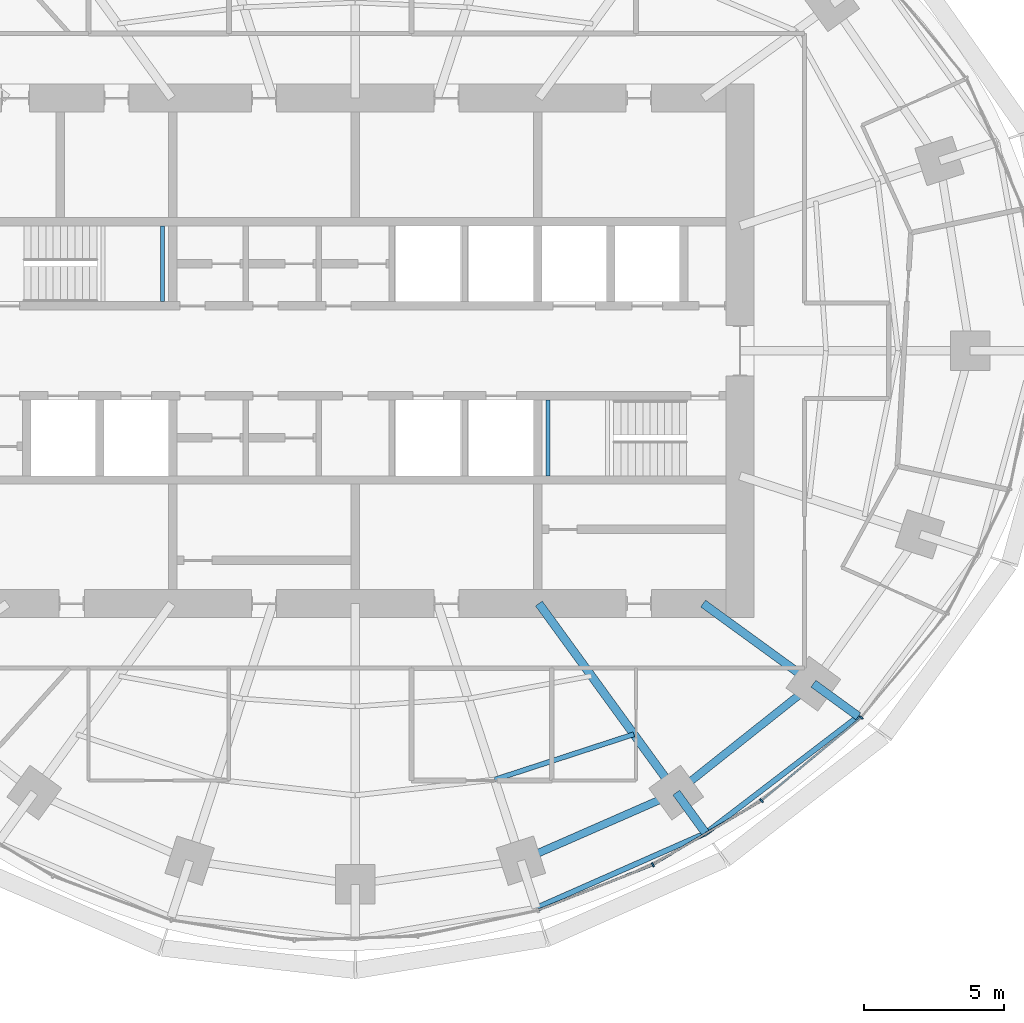
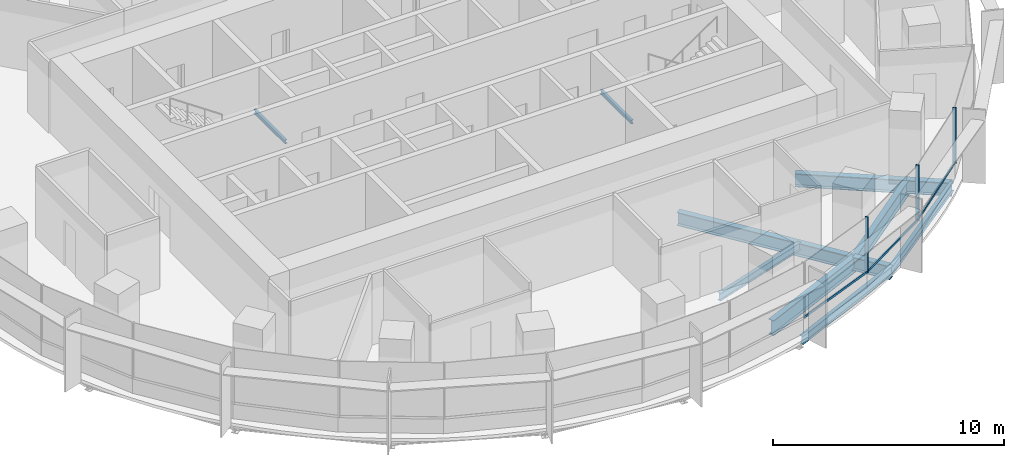
# One storey, part 5 of 15: 11 beams, 6 members, 2 elements without a shape of their own.
"""IFC4 building model written with IfcOpenShell, lengths in metres."""

from ifc_helpers import new_model, si_unit, direction, frame, origin, origin_2d, place, context, subcontext, project, spatial, rectangle, i_section, extrude, material, material_profile, profile_set, type_object, element, aggregate, save


model = new_model("IFC4")

# Units and contexts
model_context = context("Model", 3, precision=1e-05, world=origin(), true_north=direction((0.0, 1.0)))
body_context = subcontext(model_context, "Body", "Model", "MODEL_VIEW")
ifc_project = project(units=[si_unit("LENGTHUNIT", "METRE"), si_unit("AREAUNIT", "SQUARE_METRE"), si_unit("VOLUMEUNIT", "CUBIC_METRE"), si_unit("PLANEANGLEUNIT", "RADIAN"), si_unit("MASSUNIT", "GRAM", prefix="KILO")], contexts=[model_context])

# Site, building, storey
site_placement = place(None, origin())
site = spatial("IfcSite", under=ifc_project, at=site_placement, CompositionType="ELEMENT")
building_placement = place(site_placement, origin())
building = spatial("IfcBuilding", under=site, at=building_placement, Name="Marramba Exchange Tower", CompositionType="ELEMENT")
storey_placement = place(building_placement, frame((0.0, 0.0, 207.199951171875)))
storey = spatial("IfcBuildingStorey", under=building, at=storey_placement, Name="L50", CompositionType="ELEMENT", Elevation=207.199951171875)

# Beams
ifc_material_1 = material(Name="Steel AS/NZS 3679.2 grade 300", Category="steel")
ifc_material_profile_1 = material_profile(ifc_material_1, i_section(OverallWidth=0.300048828125, OverallDepth=0.699951171875, WebThickness=0.010009765625, FlangeThickness=0.031982421875, at=origin_2d()), Name="700WB173")
ifc_profile_set_1 = profile_set([ifc_material_profile_1], Name="Steel AS/NZS 3679.2 grade 300")
beam_type_1 = type_object("IfcBeamType", Name="Cantilever girder 700WB173", PredefinedType="BEAM", material=ifc_profile_set_1)
beam_1_placement = place(storey_placement, frame((11.430419921875, -15.732666015625, -0.510009765625), z_axis=(0.58783009415, -0.808984412959, 0.0), x_axis=(0.808984412959, 0.58783009415, 0.0)))
element("IfcBeam", 1, at=beam_1_placement, inside=storey, type_object=beam_type_1, Name="Cantilever girder L50 TC18", PredefinedType="BEAM", context=body_context, shape_type="SweptSolid", body=[
    extrude(i_section(OverallWidth=0.300048828125, OverallDepth=0.699951171875, WebThickness=0.010009765625, FlangeThickness=0.031982421875, at=origin_2d()), origin(), (0.0, 0.0, 1.0), 1.78515625),
])
beam_2_placement = place(storey_placement, frame((16.3154296875, -11.853759765625, -0.510009765625), z_axis=(0.808970801893, -0.587848825537, 0.0), x_axis=(0.587848825537, 0.808970801893, 0.0)))
element("IfcBeam", 2, at=beam_2_placement, inside=storey, type_object=beam_type_1, Name="Cantilever girder L50 TC19", PredefinedType="BEAM", context=body_context, shape_type="SweptSolid", body=[
    extrude(i_section(OverallWidth=0.300048828125, OverallDepth=0.699951171875, WebThickness=0.010009765625, FlangeThickness=0.031982421875, at=origin_2d()), origin(), (0.0, 0.0, 1.0), 1.978515625),
])
ifc_material_2 = material(Name="Steel AS/NZS 3679.1 grade 300", Category="steel")
ifc_material_profile_2 = material_profile(ifc_material_2, i_section(OverallWidth=0.177978515625, OverallDepth=0.406005859375, WebThickness=0.0078125, FlangeThickness=0.0126953125, FilletRadius=0.011474609375, at=origin_2d()), Name="410UB59.7")
ifc_profile_set_2 = profile_set([ifc_material_profile_2], Name="Steel AS/NZS 3679.1 grade 300")
beam_type_2 = type_object("IfcBeamType", Name="Floor joist 410UB59.7", PredefinedType="JOIST", material=ifc_profile_set_2)
beam_3_placement = place(storey_placement, frame((4.9619140625, -15.271484375, -0.363037109375), z_axis=(0.950764024931, 0.309915744834, 0.0), x_axis=(-0.309915744834, 0.950764024931, 0.0)))
element("IfcBeam", 3, at=beam_3_placement, inside=storey, type_object=beam_type_2, Name="Joist L50 bay 17 row 2", PredefinedType="JOIST", context=body_context, shape_type="SweptSolid", body=[
    extrude(i_section(OverallWidth=0.177978515625, OverallDepth=0.406005859375, WebThickness=0.0078125, FlangeThickness=0.0126953125, FilletRadius=0.011474609375, at=origin_2d()), origin(), (0.0, 0.0, 1.0), 5.2158203125),
])

# Curtain wall, members
ifc_material_3 = material(Name="Aluminium framing, bronze anodised", Category="aluminium")
curtain_wall_type = type_object("IfcCurtainWallType", Name="Office ribbon curtain wall", PredefinedType="USERDEFINED", material=ifc_material_3)
curtain_wall_1_placement = place(storey_placement, origin())
curtain_wall_1 = element("IfcCurtainWall", 4, at=curtain_wall_1_placement, inside=storey, type_object=curtain_wall_type, Name="Curtain wall CW4 L50 F26-F30", ObjectType="RIBBON CURTAIN WALL", PredefinedType="USERDEFINED")
ifc_material_4 = material(Name="Aluminium mullion, bronze anodised", Category="aluminium")
ifc_material_profile_3 = material_profile(ifc_material_4, rectangle(XDim=0.159912109375, YDim=0.06005859375, at=origin_2d()), Name="CW4 mullion 60x160")
ifc_profile_set_3 = profile_set([ifc_material_profile_3], Name="Aluminium mullion, bronze anodised")
member_type_1 = type_object("IfcMemberType", Name="Office ribbon curtain wall mullion", PredefinedType="MULLION", material=ifc_profile_set_3)
member_1_placement = place(storey_placement, frame((10.60009765625, -18.2998046875, 0.800048828125), z_axis=(0.0, 0.0, 1.0), x_axis=(-0.508010571686, 0.861350833897, 0.0)))
member_1 = element("IfcMember", 5, at=member_1_placement, type_object=member_type_1, Name="CW4 mullion 1", PredefinedType="MULLION", context=body_context, shape_type="SweptSolid", body=[
    extrude(rectangle(XDim=0.159912109375, YDim=0.06005859375, at=origin_2d()), origin(), (0.0, 0.0, 1.0), 2.93994140625),
])
member_2_placement = place(storey_placement, frame((14.461669921875, -16.0166015625, 0.800048828125), z_axis=(0.0, 0.0, 1.0), x_axis=(-0.639565270127, 0.768736798421, 0.0)))
member_2 = element("IfcMember", 6, at=member_2_placement, type_object=member_type_1, Name="CW4 mullion 1", PredefinedType="MULLION", context=body_context, shape_type="SweptSolid", body=[
    extrude(rectangle(XDim=0.159912109375, YDim=0.06005859375, at=origin_2d()), origin(), (0.0, 0.0, 1.0), 2.93994140625),
])
member_3_placement = place(storey_placement, frame((18.01611328125, -13.052490234375, 0.800048828125), z_axis=(0.0, 0.0, 1.0), x_axis=(-0.769912069289, 0.63814998673, 0.0)))
member_3 = element("IfcMember", 7, at=member_3_placement, type_object=member_type_1, Name="CW4 mullion 1", PredefinedType="MULLION", context=body_context, shape_type="SweptSolid", body=[
    extrude(rectangle(XDim=0.159912109375, YDim=0.06005859375, at=origin_2d()), origin(), (0.0, 0.0, 1.0), 2.93994140625),
])

# Curtain wall, member
curtain_wall_2_placement = place(storey_placement, origin())
curtain_wall_2 = element("IfcCurtainWall", 8, at=curtain_wall_2_placement, inside=storey, type_object=curtain_wall_type, Name="Curtain wall CW4 L50 F21-F25", ObjectType="RIBBON CURTAIN WALL", PredefinedType="USERDEFINED")
ifc_material_5 = material(Name="Aluminium transom, bronze anodised", Category="aluminium")
ifc_material_profile_4 = material_profile(ifc_material_5, rectangle(XDim=0.06005859375, YDim=0.1201171875, at=origin_2d()), Name="CW4 transom 60x120")
ifc_profile_set_4 = profile_set([ifc_material_profile_4], Name="Aluminium transom, bronze anodised")
member_type_2 = type_object("IfcMemberType", Name="Office ribbon curtain wall transom", PredefinedType="USERDEFINED", material=ifc_profile_set_4)
member_4_placement = place(storey_placement, frame((6.53271484375, -19.911376953125, 0.830078125), z_axis=(0.930068344217, 0.367386547229, 0.0), x_axis=(-0.367386547229, 0.930068344217, 0.0)))
member_4 = element("IfcMember", 9, at=member_4_placement, type_object=member_type_2, Name="CW4 sill transom", ObjectType="TRANSOM", PredefinedType="USERDEFINED", context=body_context, shape_type="SweptSolid", body=[
    extrude(rectangle(XDim=0.06005859375, YDim=0.1201171875, at=origin_2d()), origin(), (0.0, 0.0, 1.0), 4.345458984375),
])
aggregate(curtain_wall_2, [member_4])

# Member
member_5_placement = place(storey_placement, frame((10.6259765625, -18.28466796875, 0.830078125), z_axis=(0.861342387959, 0.508024891816, 0.0), x_axis=(-0.508024891816, 0.861342387959, 0.0)))
member_5 = element("IfcMember", 10, at=member_5_placement, type_object=member_type_2, Name="CW4 sill transom", ObjectType="TRANSOM", PredefinedType="USERDEFINED", context=body_context, shape_type="SweptSolid", body=[
    extrude(rectangle(XDim=0.06005859375, YDim=0.1201171875, at=origin_2d()), origin(), (0.0, 0.0, 1.0), 4.426513671875),
])

member_6_placement = place(storey_placement, frame((14.48486328125, -15.99755859375, 0.830078125), z_axis=(0.768707257272, 0.639600775967, 0.0), x_axis=(-0.639600775967, 0.768707257272, 0.0)))
member_6 = element("IfcMember", 11, at=member_6_placement, type_object=member_type_2, Name="CW4 sill transom", ObjectType="TRANSOM", PredefinedType="USERDEFINED", context=body_context, shape_type="SweptSolid", body=[
    extrude(rectangle(XDim=0.06005859375, YDim=0.1201171875, at=origin_2d()), origin(), (0.0, 0.0, 1.0), 4.568603515625),
])

aggregate(curtain_wall_1, [member_1, member_5, member_2, member_6, member_3])

# Beams
ifc_material_profile_5 = material_profile(ifc_material_1, i_section(OverallWidth=0.300048828125, OverallDepth=0.699951171875, WebThickness=0.010009765625, FlangeThickness=0.031982421875, at=origin_2d()), Name="700WB173")
ifc_profile_set_5 = profile_set([ifc_material_profile_5], Name="Steel AS/NZS 3679.2 grade 300")
beam_type_3 = type_object("IfcBeamType", Name="Radial girder 700WB173", PredefinedType="BEAM", material=ifc_profile_set_5)
beam_4_placement = place(storey_placement, frame((6.538818359375, -9.0, -0.510009765625), z_axis=(0.587787877172, -0.809015087282, 0.0), x_axis=(0.809015087282, 0.587787877172, 0.0)))
element("IfcBeam", 12, at=beam_4_placement, inside=storey, type_object=beam_type_3, Name="Radial girder L50 TC18", PredefinedType="BEAM", context=body_context, shape_type="SweptSolid", body=[
    extrude(i_section(OverallWidth=0.300048828125, OverallDepth=0.699951171875, WebThickness=0.010009765625, FlangeThickness=0.031982421875, at=origin_2d()), origin(), (0.0, 0.0, 1.0), 8.322021484375),
])
beam_5_placement = place(storey_placement, frame((12.387451171875, -9.0, -0.510009765625), z_axis=(0.809025189606, -0.58777397236, 0.0), x_axis=(0.58777397236, 0.809025189606, 0.0)))
element("IfcBeam", 13, at=beam_5_placement, inside=storey, type_object=beam_type_3, Name="Radial girder L50 TC19", PredefinedType="BEAM", context=body_context, shape_type="SweptSolid", body=[
    extrude(i_section(OverallWidth=0.300048828125, OverallDepth=0.699951171875, WebThickness=0.010009765625, FlangeThickness=0.031982421875, at=origin_2d()), origin(), (0.0, 0.0, 1.0), 4.855224609375),
])
ifc_material_profile_6 = material_profile(ifc_material_1, i_section(OverallWidth=0.27490234375, OverallDepth=0.800048828125, WebThickness=0.010009765625, FlangeThickness=0.02490234375, at=origin_2d()), Name="800WB168")
ifc_profile_set_6 = profile_set([ifc_material_profile_6], Name="Steel AS/NZS 3679.2 grade 300")
beam_type_4 = type_object("IfcBeamType", Name="Ring beam 800WB168", PredefinedType="SPANDREL", material=ifc_profile_set_6)
beam_6_placement = place(storey_placement, frame((5.899658203125, -18.156982421875, -0.56005859375), z_axis=(0.915876892158, 0.4014592363, 0.0), x_axis=(-0.4014592363, 0.915876892158, 0.0)))
element("IfcBeam", 14, at=beam_6_placement, inside=storey, type_object=beam_type_4, Name="Ring beam L50 TC17-TC18", PredefinedType="SPANDREL", context=body_context, shape_type="SweptSolid", body=[
    extrude(i_section(OverallWidth=0.27490234375, OverallDepth=0.800048828125, WebThickness=0.010009765625, FlangeThickness=0.02490234375, at=origin_2d()), origin(), (0.0, 0.0, 1.0), 6.038818359375),
])
beam_7_placement = place(storey_placement, frame((11.430419921875, -15.732666015625, -0.56005859375), z_axis=(0.783139438128, 0.621846138887, 0.0), x_axis=(-0.621846138887, 0.783139438128, 0.0)))
element("IfcBeam", 15, at=beam_7_placement, inside=storey, type_object=beam_type_4, Name="Ring beam L50 TC18-TC19", PredefinedType="SPANDREL", context=body_context, shape_type="SweptSolid", body=[
    extrude(i_section(OverallWidth=0.27490234375, OverallDepth=0.800048828125, WebThickness=0.010009765625, FlangeThickness=0.02490234375, at=origin_2d()), origin(), (0.0, 0.0, 1.0), 6.23779296875),
])
ifc_material_profile_7 = material_profile(ifc_material_2, i_section(OverallWidth=0.19091796875, OverallDepth=0.4599609375, WebThickness=0.010009765625, FlangeThickness=0.01611328125, FilletRadius=0.011474609375, at=origin_2d()), Name="460UB82.1")
ifc_profile_set_7 = profile_set([ifc_material_profile_7], Name="Steel AS/NZS 3679.1 grade 300")
beam_type_5 = type_object("IfcBeamType", Name="Slab edge beam 460UB82.1", PredefinedType="SPANDREL", material=ifc_profile_set_7)
beam_8_placement = place(storey_placement, frame((6.44580078125, -19.83837890625, -0.389892578125), z_axis=(0.914940719579, 0.403588255102, 0.0), x_axis=(-0.403588255102, 0.914940719579, 0.0)))
element("IfcBeam", 16, at=beam_8_placement, inside=storey, type_object=beam_type_5, Name="Slab edge beam L50 TC17-TC18", PredefinedType="SPANDREL", context=body_context, shape_type="SweptSolid", body=[
    extrude(i_section(OverallWidth=0.19091796875, OverallDepth=0.4599609375, WebThickness=0.010009765625, FlangeThickness=0.01611328125, FilletRadius=0.011474609375, at=origin_2d()), origin(), (0.0, 0.0, 1.0), 6.594970703125),
])
beam_9_placement = place(storey_placement, frame((12.479736328125, -17.1767578125, -0.389892578125), z_axis=(0.794163423189, 0.607704251481, 0.0), x_axis=(-0.607704251481, 0.794163423189, 0.0)))
element("IfcBeam", 17, at=beam_9_placement, inside=storey, type_object=beam_type_5, Name="Slab edge beam L50 TC18-TC19", PredefinedType="SPANDREL", context=body_context, shape_type="SweptSolid", body=[
    extrude(i_section(OverallWidth=0.19091796875, OverallDepth=0.4599609375, WebThickness=0.010009765625, FlangeThickness=0.01611328125, FilletRadius=0.011474609375, at=origin_2d()), origin(), (0.0, 0.0, 1.0), 6.84521484375),
])
ifc_material_profile_8 = material_profile(ifc_material_2, i_section(OverallWidth=0.133056640625, OverallDepth=0.202880859375, WebThickness=0.005859375, FlangeThickness=0.0078125, FilletRadius=0.0087890625, at=origin_2d()), Name="200UB25.4")
ifc_profile_set_8 = profile_set([ifc_material_profile_8], Name="Steel AS/NZS 3679.1 grade 300")
beam_type_6 = type_object("IfcBeamType", Name="Stair landing beam 200UB25.4", PredefinedType="BEAM", material=ifc_profile_set_8)
for number, where, z_axis, x_axis, name in (
    (18, (-6.866455078125, 1.75, 1.6484375), (0.0, 1.0, 0.0), (-1.0, 0.0, 0.0), "Stair landing beam SLB1 ST1 L50 2"),
    (19, (6.866455078125, -4.449951171875, 1.6484375), (0.0, 1.0, 0.0), (-1.0, 0.0, 0.0), "Stair landing beam SLB1 ST2 L50 1"),
):
    element("IfcBeam", number, at=place(storey_placement, frame(where, z_axis=z_axis, x_axis=x_axis)), inside=storey, type_object=beam_type_6, Name=name, PredefinedType="BEAM", context=body_context, shape_type="SweptSolid", body=[
        extrude(i_section(OverallWidth=0.133056640625, OverallDepth=0.202880859375, WebThickness=0.005859375, FlangeThickness=0.0078125, FilletRadius=0.0087890625, at=origin_2d()), origin(), (0.0, 0.0, 1.0), 2.699951171875),
    ])

save(model, "model.ifc")
